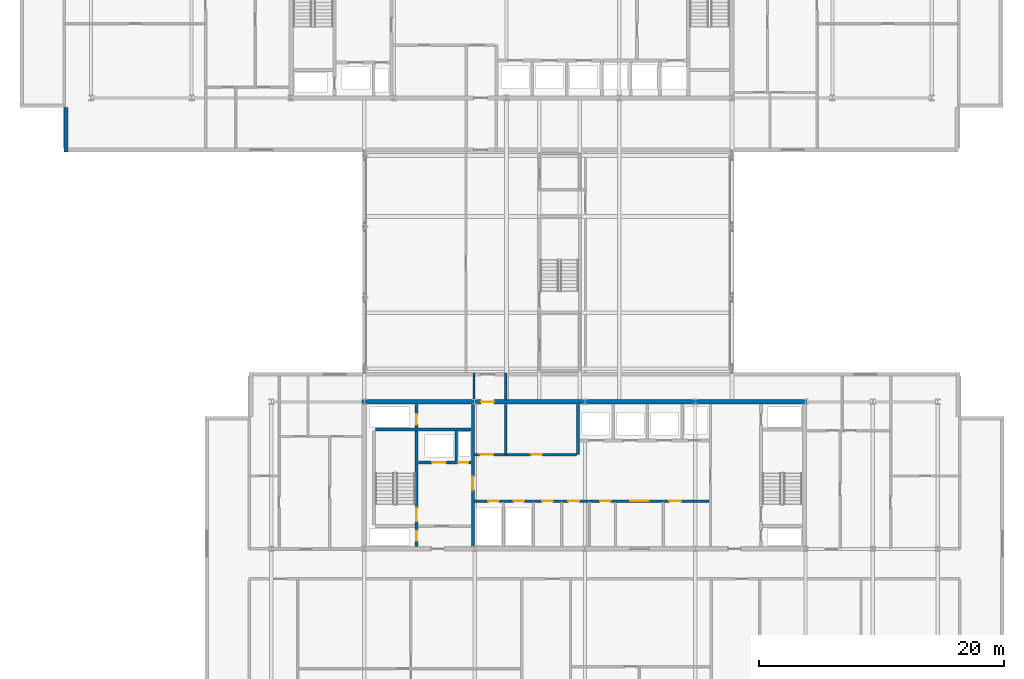
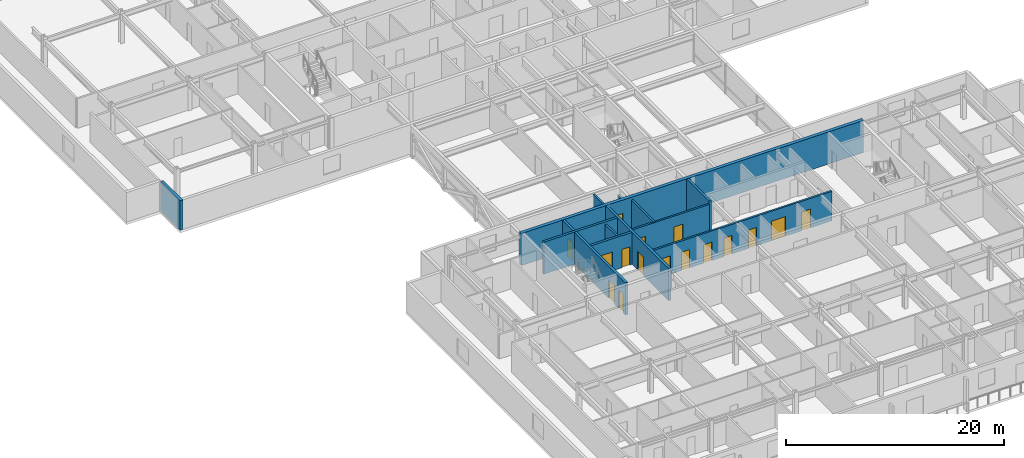
# One storey, part 20 of 36: 16 doors, 13 walls, 16 openings.
"""IFC4 building model written with IfcOpenShell, lengths in metres."""

import ifcopenshell
import ifcopenshell.guid

model = None  # the IFC model being written
_history = None  # IfcOwnerHistory: only IFC2X3 demands one
_inside = {}  # id of a spatial element -> (the spatial element, [elements in it])
_under = {}  # id of a project, library or spatial element -> (it, [spatial elements below it])
_declared = {}  # id of a project -> (the project, [libraries it declares])
_typed = {}  # id of a type object -> (the type object, [elements of that type])
_made_of = {}  # id of a material, layer set ... -> (it, [elements and type objects made of it])


def new_model(schema):
    """Start an empty IFC model of exactly this schema.

    Asked for "IFC4X3", IfcOpenShell would pick the latest addendum, in which some entities
    have other attributes; the version numbers below select the first issue.
    IFC2X3 requires an IfcOwnerHistory on every rooted entity: one is made here for all.
    """
    global model, _history
    if schema == "IFC4X3":
        model = ifcopenshell.file(schema_version=(4, 3, 0, 0))
    else:
        model = ifcopenshell.file(schema=schema)
    _inside.clear()
    _under.clear()
    _declared.clear()
    _typed.clear()
    _made_of.clear()
    _history = None
    if model.schema == "IFC2X3":
        org = make("IfcOrganization", Name="unknown")
        user = make(
            "IfcPersonAndOrganization",
            ThePerson=make("IfcPerson", FamilyName="unknown"),
            TheOrganization=org,
        )
        app = make(
            "IfcApplication",
            ApplicationDeveloper=org,
            Version="unknown",
            ApplicationFullName="unknown",
            ApplicationIdentifier="unknown",
        )
        _history = make(
            "IfcOwnerHistory",
            OwningUser=user,
            OwningApplication=app,
            ChangeAction="ADDED",
            CreationDate=0,
        )
    return model


def make(cls, **values):
    """One entity of the class cls with the attributes given. An attribute that is None is left unset."""
    return model.create_entity(
        cls, **{name: value for name, value in values.items() if value is not None}
    )


def rooted(cls, **values):
    """An entity with a GlobalId (a new one), such as an element, a storey or a relation."""
    return make(cls, GlobalId=ifcopenshell.guid.new(), OwnerHistory=_history, **values)


def si_unit(unit_type, name, prefix=None):
    """IfcSIUnit, for example si_unit("LENGTHUNIT", "METRE", prefix="MILLI")."""
    return make("IfcSIUnit", UnitType=unit_type, Prefix=prefix, Name=name)


def assignment(units):
    """IfcUnitAssignment: the units of a project."""
    return None if units is None else make("IfcUnitAssignment", Units=units)


def point(xyz):
    """IfcCartesianPoint."""
    return None if xyz is None else make("IfcCartesianPoint", Coordinates=xyz)


def direction(xyz):
    """IfcDirection."""
    return None if xyz is None else make("IfcDirection", DirectionRatios=xyz)


def frame(location, z_axis=None, x_axis=None):
    """IfcAxis2Placement3D, a coordinate frame: its origin and axes. An axis left out is left unset."""
    return make(
        "IfcAxis2Placement3D",
        Location=point(location),
        Axis=direction(z_axis),
        RefDirection=direction(x_axis),
    )


def frame_2d(location, x_axis=None):
    """IfcAxis2Placement2D, a coordinate frame in the plane: its origin and x axis."""
    return make(
        "IfcAxis2Placement2D", Location=point(location), RefDirection=direction(x_axis)
    )


def origin():
    """The frame at (0, 0, 0) with its axes left unset."""
    return frame((0.0, 0.0, 0.0))


def place(relative_to, where):
    """IfcLocalPlacement: puts the frame where relative to a parent placement (None: the world)."""
    return make(
        "IfcLocalPlacement", PlacementRelTo=relative_to, RelativePlacement=where
    )


def context(
    kind, dimensions, precision=None, world=None, true_north=None, identifier=None
):
    """IfcGeometricRepresentationContext, for example the 3D "Model" context."""
    return make(
        "IfcGeometricRepresentationContext",
        ContextIdentifier=identifier,
        ContextType=kind,
        CoordinateSpaceDimension=dimensions,
        Precision=precision,
        WorldCoordinateSystem=world,
        TrueNorth=true_north,
    )


def subcontext(parent, identifier, kind, view, scale=None):
    """IfcGeometricRepresentationSubContext, for example "Body" below "Model"."""
    return make(
        "IfcGeometricRepresentationSubContext",
        ContextIdentifier=identifier,
        ContextType=kind,
        ParentContext=parent,
        TargetScale=scale,
        TargetView=view,
    )


def project(units=None, contexts=None):
    """IfcProject with its units and contexts."""
    return rooted(
        "IfcProject",
        Name="project",
        RepresentationContexts=contexts,
        UnitsInContext=assignment(units),
    )


def spatial(cls, under=None, at=None, **own):
    """A site, building, storey or space (cls), placed at a placement, below another one or the project."""
    s = rooted(cls, ObjectPlacement=at, **own)
    if under is not None:
        _under.setdefault(under.id(), (under, []))[1].append(s)
    return s


def profile(cls, at=None, kind="AREA", **sizes):
    """A parametric profile (cls). Its sizes go by their IFC names, for example OverallWidth=200.0."""
    return make(cls, ProfileType=kind, Position=at, **sizes)


def rectangle(**sizes):
    """IfcRectangleProfileDef."""
    return profile("IfcRectangleProfileDef", **sizes)


def extrude(swept, where, along, depth):
    """IfcExtrudedAreaSolid: the profile swept, set in the frame where, extruded along a direction by depth."""
    return make(
        "IfcExtrudedAreaSolid",
        SweptArea=swept,
        Position=where,
        ExtrudedDirection=direction(along),
        Depth=depth,
    )


def shape(context_of_items, identifier, shape_type, items):
    """IfcShapeRepresentation: the items that make up one representation, for example the "Body"."""
    return make(
        "IfcShapeRepresentation",
        ContextOfItems=context_of_items,
        RepresentationIdentifier=identifier,
        RepresentationType=shape_type,
        Items=items,
    )


def material(Name=None, Category=None):
    """IfcMaterial."""
    return make("IfcMaterial", Name=Name, Category=Category)


def layer(
    of_material, thickness, ventilated=None, Name=None, Category=None, Priority=None
):
    """IfcMaterialLayer: one layer of a wall or slab, of a material (None: an air gap)."""
    return make(
        "IfcMaterialLayer",
        Material=of_material,
        LayerThickness=thickness,
        IsVentilated=ventilated,
        Name=Name,
        Category=Category,
        Priority=Priority,
    )


def layer_set(layers, Name=None):
    """IfcMaterialLayerSet."""
    return make("IfcMaterialLayerSet", MaterialLayers=layers, LayerSetName=Name)


def made_of(thing, what):
    """Note that an element or type object is made of a material, layer set ...; save() writes the relation."""
    if what is not None:
        _made_of.setdefault(what.id(), (what, []))[1].append(thing)
    return thing


def type_object(cls, material=None, **own):
    """A type object (cls), such as IfcWallType, which elements share."""
    return made_of(rooted(cls, **own), material)


def element(
    cls,
    number,
    at=None,
    inside=None,
    cuts=None,
    type_object=None,
    material=None,
    context=None,
    identifier="Body",
    shape_type=None,
    held_by="IfcProductDefinitionShape",
    body=None,
    shapes=None,
    **own,
):
    """One element of the class cls, such as IfcWall. Its Tag is "e" and its number.

    at: its placement. inside: the storey or other place that contains it. cuts: it is an
    opening in that element (IfcRelVoidsElement). A single representation is given by context,
    identifier, shape_type and body (its items); several are given by shapes. held_by: the class
    of the entity that holds the representations. save() writes the other relations.
    """
    e = rooted(cls, Tag="e%d" % number, ObjectPlacement=at, **own)
    if body is not None:
        shapes = [shape(context, identifier, shape_type, body)]
    if shapes is not None:
        e.Representation = make(held_by, Representations=shapes)
    if inside is not None:
        _inside.setdefault(inside.id(), (inside, []))[1].append(e)
    if cuts is not None:
        rooted(
            "IfcRelVoidsElement", RelatingBuildingElement=cuts, RelatedOpeningElement=e
        )
    if type_object is not None:
        _typed.setdefault(type_object.id(), (type_object, []))[1].append(e)
    return made_of(e, material)


def fill(opening, filler):
    """IfcRelFillsElement: the door or window that sits in an opening."""
    return rooted(
        "IfcRelFillsElement",
        RelatingOpeningElement=opening,
        RelatedBuildingElement=filler,
    )


def aggregate(whole, parts):
    """IfcRelAggregates: a whole, such as a stair, and the parts it consists of."""
    return rooted("IfcRelAggregates", RelatingObject=whole, RelatedObjects=parts)


def save(model, path):
    """Write the relations noted so far, then the file.

    IfcRelAggregates (storeys below a building ...), IfcRelContainedInSpatialStructure (elements
    in a storey), IfcRelDefinesByType, IfcRelAssociatesMaterial and IfcRelDeclares: one each for
    every whole, place, type object, material and project.
    """
    for whole, parts in _under.values():
        aggregate(whole, parts)
    for where, things in _inside.values():
        rooted(
            "IfcRelContainedInSpatialStructure",
            RelatedElements=things,
            RelatingStructure=where,
        )
    for kind, things in _typed.values():
        rooted("IfcRelDefinesByType", RelatedObjects=things, RelatingType=kind)
    for what, things in _made_of.values():
        rooted("IfcRelAssociatesMaterial", RelatedObjects=things, RelatingMaterial=what)
    for by, libraries in _declared.values():
        rooted("IfcRelDeclares", RelatingContext=by, RelatedDefinitions=libraries)
    model.write(path)


model = new_model("IFC4")

# Units and contexts
model_context = context("Model", 3, precision=1e-05, world=origin(), true_north=direction((0.0, 1.0)))
body_context = subcontext(model_context, "Body", "Model", "MODEL_VIEW")
ifc_project = project(units=[si_unit("LENGTHUNIT", "METRE"), si_unit("AREAUNIT", "SQUARE_METRE"), si_unit("VOLUMEUNIT", "CUBIC_METRE"), si_unit("PLANEANGLEUNIT", "RADIAN"), si_unit("MASSUNIT", "GRAM", prefix="KILO")], contexts=[model_context])

# Site, building, storey
site_placement = place(None, origin())
site = spatial("IfcSite", under=ifc_project, at=site_placement, CompositionType="ELEMENT")
building_placement = place(site_placement, origin())
building = spatial("IfcBuilding", under=site, at=building_placement, Name="Korimba Cascade Residences", CompositionType="ELEMENT")
storey_placement = place(building_placement, frame((0.0, 0.0, 146.5)))
storey = spatial("IfcBuildingStorey", under=building, at=storey_placement, Name="L42", CompositionType="ELEMENT", Elevation=146.5)

# Wall
ifc_material_1 = material(Name="Precast concrete C40/50", Category="concrete")
ifc_layer_1 = layer(ifc_material_1, 0.300048828125)
ifc_layer_set_1 = layer_set([ifc_layer_1], Name="Precast concrete C40/50")
wall_type_1 = type_object("IfcWallType", Name="EW-STONE-300", PredefinedType="STANDARD", material=ifc_layer_set_1)
wall_1_placement = place(storey_placement, frame((57.75, 54.39990234375, 0.0), z_axis=(0.0, 0.0, 1.0), x_axis=(0.0, -1.0, 0.0)))
element("IfcWall", 1, at=wall_1_placement, inside=storey, type_object=wall_type_1, Name="L42 T1 Perimeter Stone Wall E11", PredefinedType="STANDARD", context=body_context, shape_type="SweptSolid", body=[
    extrude(rectangle(XDim=3.599853515625, YDim=0.300048828125, at=frame_2d((1.7998046875, 0.0))), origin(), (0.0, 0.0, 1.0), 3.31005859375),
])

# Wall, opening, door
ifc_material_2 = material(Name="Concrete C65/80", Category="concrete")
ifc_layer_2 = layer(ifc_material_2, 0.35009765625)
ifc_layer_set_2 = layer_set([ifc_layer_2], Name="Concrete C65/80")
wall_type_2 = type_object("IfcWallType", Name="WAL-CORE-350", PredefinedType="SHEAR", material=ifc_layer_set_2)
wall_2_placement = place(storey_placement, frame((81.925048828125, 30.39990234375, 0.0), z_axis=(0.0, 0.0, 1.0), x_axis=(1.0, 0.0, 0.0)))
wall_2 = element("IfcWall", 2, at=wall_2_placement, inside=storey, type_object=wall_type_2, Name="L42 Core Shear Wall CW-L42-T2-N", PredefinedType="SHEAR", context=body_context, shape_type="SweptSolid", body=[
    extrude(rectangle(XDim=36.264892578125, YDim=0.35009765625, at=frame_2d((18.13232421875, 0.0))), origin(), (0.0, 0.0, 1.0), 3.60009765625),
])
opening_1_placement = place(wall_2_placement, frame((9.675048828125, 0.0, 0.0)))
opening_1 = element("IfcOpeningElement", 3, at=opening_1_placement, cuts=wall_2, Name="Opening D-FD1", PredefinedType="OPENING", context=body_context, shape_type="SweptSolid", body=[
    extrude(rectangle(XDim=1.10009765625, YDim=2.10009765625, at=frame_2d((0.550048828125, 1.050048828125))), frame((0.0, 0.18505859375, 0.0), z_axis=(0.0, -1.0, 0.0), x_axis=(1.0, 0.0, 0.0)), (0.0, 0.0, 1.0), 0.3701171875),
])
ifc_material_3 = material(Name="Fire-Rated Steel Core Door", Category="steel")
door_type_1 = type_object("IfcDoorType", Name="DR-FD120-1100", OperationType="NOTDEFINED", PredefinedType="DOOR", material=ifc_material_3)
door_1_placement = place(opening_1_placement, origin())
door_1 = element("IfcDoor", 4, at=door_1_placement, inside=storey, type_object=door_type_1, Name="L42 Skybridge to T2 Core Fire Door", OperationType="SINGLE_SWING_LEFT", OverallHeight=2.10009765625, OverallWidth=1.10009765625, PredefinedType="DOOR", context=body_context, shape_type="SweptSolid", body=[
    extrude(rectangle(XDim=1.10009765625, YDim=2.10009765625, at=frame_2d((0.550048828125, 1.050048828125))), frame((0.0, 0.02490234375, 0.0), z_axis=(0.0, -1.0, 0.0), x_axis=(1.0, 0.0, 0.0)), (0.0, 0.0, 1.0), 0.050048828125),
])
fill(opening_1, door_1)

# Walls
ifc_material_4 = material(Name="Concrete C40/50", Category="concrete")
ifc_layer_3 = layer(ifc_material_4, 0.199951171875)
ifc_layer_set_3 = layer_set([ifc_layer_3], Name="Concrete C40/50")
wall_type_3 = type_object("IfcWallType", Name="WAL-PART-200", PredefinedType="PARTITIONING", material=ifc_layer_set_3)
wall_3_placement = place(storey_placement, frame((89.60009765625, 25.580078125, 0.0), z_axis=(0.0, 0.0, 1.0), x_axis=(0.0, 1.0, 0.0)))
element("IfcWall", 5, at=wall_3_placement, inside=storey, type_object=wall_type_3, Name="L42 Partition Wall CW-L42-T2-FFLDIV", PredefinedType="PARTITIONING", context=body_context, shape_type="SweptSolid", body=[
    extrude(rectangle(XDim=2.419921875, YDim=0.199951171875, at=frame_2d((1.2099609375, 0.0))), origin(), (0.0, 0.0, 1.0), 3.31005859375),
])
wall_4_placement = place(storey_placement, frame((93.64990234375, 26.10009765625, 0.0), z_axis=(0.0, 0.0, 1.0), x_axis=(0.0, 1.0, 0.0)))
element("IfcWall", 6, at=wall_4_placement, inside=storey, type_object=wall_type_3, Name="L42 Partition Wall CW-L42-T2-BRGPD", PredefinedType="PARTITIONING", context=body_context, shape_type="SweptSolid", body=[
    extrude(rectangle(XDim=4.099853515625, YDim=0.199951171875, at=frame_2d((2.0498046875, 0.0))), origin(), (0.0, 0.0, 1.0), 3.31005859375),
])

# Wall, openings, doors
wall_5_placement = place(storey_placement, frame((91.080078125, 26.10009765625, 0.0), z_axis=(0.0, 0.0, 1.0), x_axis=(1.0, 0.0, 0.0)))
wall_5 = element("IfcWall", 7, at=wall_5_placement, inside=storey, type_object=wall_type_3, Name="L42 Partition Wall CW-L42-T2-B1RS", PredefinedType="PARTITIONING", context=body_context, shape_type="SweptSolid", body=[
    extrude(rectangle(XDim=8.33984375, YDim=0.199951171875, at=frame_2d((4.169921875, 0.0))), origin(), (0.0, 0.0, 1.0), 3.31005859375),
])
opening_2_placement = place(wall_5_placement, frame((0.449951171875, 0.0, 0.0)))
opening_2 = element("IfcOpeningElement", 8, at=opening_2_placement, cuts=wall_5, Name="Opening D-FD1", PredefinedType="OPENING", context=body_context, shape_type="SweptSolid", body=[
    extrude(rectangle(XDim=1.10009765625, YDim=2.10009765625, at=frame_2d((0.550048828125, 1.050048828125))), frame((0.0, 0.10986328125, 0.0), z_axis=(0.0, -1.0, 0.0), x_axis=(1.0, 0.0, 0.0)), (0.0, 0.0, 1.0), 0.219970703125),
])
opening_3_placement = place(wall_5_placement, frame((4.60009765625, 0.0, 0.0)))
opening_3 = element("IfcOpeningElement", 9, at=opening_3_placement, cuts=wall_5, Name="Opening D-ST1", PredefinedType="OPENING", context=body_context, shape_type="SweptSolid", body=[
    extrude(rectangle(XDim=0.919921875, YDim=2.080078125, at=frame_2d((0.4599609375, 1.0400390625))), frame((0.0, 0.10986328125, 0.0), z_axis=(0.0, -1.0, 0.0), x_axis=(1.0, 0.0, 0.0)), (0.0, 0.0, 1.0), 0.219970703125),
])
door_2_placement = place(opening_2_placement, origin())
door_2 = element("IfcDoor", 10, at=door_2_placement, inside=storey, type_object=door_type_1, Name="L42 Skybridge Vestibule to T2 Lift Lobby Door", OperationType="SINGLE_SWING_RIGHT", OverallHeight=2.10009765625, OverallWidth=1.10009765625, PredefinedType="DOOR", context=body_context, shape_type="SweptSolid", body=[
    extrude(rectangle(XDim=1.10009765625, YDim=2.10009765625, at=frame_2d((0.550048828125, 1.050048828125))), frame((0.0, 0.02490234375, 0.0), z_axis=(0.0, -1.0, 0.0), x_axis=(1.0, 0.0, 0.0)), (0.0, 0.0, 1.0), 0.050048828125),
])
fill(opening_2, door_2)
ifc_material_5 = material(Name="Fire-Rated Core Store Door", Category="wood")
door_type_2 = type_object("IfcDoorType", Name="DR-FD60-920", OperationType="NOTDEFINED", PredefinedType="DOOR", material=ifc_material_5)
door_3_placement = place(opening_3_placement, origin())
door_3 = element("IfcDoor", 11, at=door_3_placement, inside=storey, type_object=door_type_2, Name="L42 T2 Resident Storage Door", OperationType="SINGLE_SWING_LEFT", OverallHeight=2.080078125, OverallWidth=0.919921875, PredefinedType="DOOR", context=body_context, shape_type="SweptSolid", body=[
    extrude(rectangle(XDim=0.919921875, YDim=2.080078125, at=frame_2d((0.4599609375, 1.0400390625))), frame((0.0, 0.02490234375, 0.0), z_axis=(0.0, -1.0, 0.0), x_axis=(1.0, 0.0, 0.0)), (0.0, 0.0, 1.0), 0.050048828125),
])
fill(opening_3, door_3)

wall_6_placement = place(storey_placement, frame((91.080078125, 22.300048828125, 0.0), z_axis=(0.0, 0.0, 1.0), x_axis=(1.0, 0.0, 0.0)))
wall_6 = element("IfcWall", 12, at=wall_6_placement, inside=storey, type_object=wall_type_3, Name="L42 Partition Wall CW-L42-T2-SRVROW", PredefinedType="PARTITIONING", context=body_context, shape_type="SweptSolid", body=[
    extrude(rectangle(XDim=19.139892578125, YDim=0.199951171875, at=frame_2d((9.56982421875, 0.0))), origin(), (0.0, 0.0, 1.0), 3.31005859375),
])
opening_4_placement = place(wall_6_placement, frame((1.14990234375, 0.0, 0.0)))
opening_4 = element("IfcOpeningElement", 13, at=opening_4_placement, cuts=wall_6, Name="Opening D-RS1", PredefinedType="OPENING", context=body_context, shape_type="SweptSolid", body=[
    extrude(rectangle(XDim=0.85009765625, YDim=2.050048828125, at=frame_2d((0.425048828125, 1.02490234375))), frame((0.0, 0.10986328125, 0.0), z_axis=(0.0, -1.0, 0.0), x_axis=(1.0, 0.0, 0.0)), (0.0, 0.0, 1.0), 0.219970703125),
])
opening_5_placement = place(wall_6_placement, frame((3.199951171875, 0.0, 0.0)))
opening_5 = element("IfcOpeningElement", 14, at=opening_5_placement, cuts=wall_6, Name="Opening D-RS1", PredefinedType="OPENING", context=body_context, shape_type="SweptSolid", body=[
    extrude(rectangle(XDim=0.85009765625, YDim=2.050048828125, at=frame_2d((0.425048828125, 1.02490234375))), frame((0.0, 0.10986328125, 0.0), z_axis=(0.0, -1.0, 0.0), x_axis=(1.0, 0.0, 0.0)), (0.0, 0.0, 1.0), 0.219970703125),
])
opening_6_placement = place(wall_6_placement, frame((12.719970703125, 0.0, 0.0)))
opening_6 = element("IfcOpeningElement", 15, at=opening_6_placement, cuts=wall_6, Name="Opening D-FD8", PredefinedType="OPENING", context=body_context, shape_type="SweptSolid", body=[
    extrude(rectangle(XDim=1.5, YDim=2.199951171875, at=frame_2d((0.75, 1.10009765625))), frame((0.0, 0.10986328125, 0.0), z_axis=(0.0, -1.0, 0.0), x_axis=(1.0, 0.0, 0.0)), (0.0, 0.0, 1.0), 0.219970703125),
])
opening_7_placement = place(wall_6_placement, frame((5.52001953125, 0.0, 0.0)))
opening_7 = element("IfcOpeningElement", 16, at=opening_7_placement, cuts=wall_6, Name="Opening D-IN2", PredefinedType="OPENING", context=body_context, shape_type="SweptSolid", body=[
    extrude(rectangle(XDim=0.8798828125, YDim=2.06005859375, at=frame_2d((0.43994140625, 1.030029296875))), frame((0.0, 0.10986328125, 0.0), z_axis=(0.0, -1.0, 0.0), x_axis=(1.0, 0.0, 0.0)), (0.0, 0.0, 1.0), 0.219970703125),
])
opening_8_placement = place(wall_6_placement, frame((7.669921875, 0.0, 0.0)))
opening_8 = element("IfcOpeningElement", 17, at=opening_8_placement, cuts=wall_6, Name="Opening D-IN2", PredefinedType="OPENING", context=body_context, shape_type="SweptSolid", body=[
    extrude(rectangle(XDim=0.8798828125, YDim=2.06005859375, at=frame_2d((0.43994140625, 1.030029296875))), frame((0.0, 0.10986328125, 0.0), z_axis=(0.0, -1.0, 0.0), x_axis=(1.0, 0.0, 0.0)), (0.0, 0.0, 1.0), 0.219970703125),
])
opening_9_placement = place(wall_6_placement, frame((10.27001953125, 0.0, 0.0)))
opening_9 = element("IfcOpeningElement", 18, at=opening_9_placement, cuts=wall_6, Name="Opening D-RS1", PredefinedType="OPENING", context=body_context, shape_type="SweptSolid", body=[
    extrude(rectangle(XDim=0.85009765625, YDim=2.050048828125, at=frame_2d((0.425048828125, 1.02490234375))), frame((0.0, 0.10986328125, 0.0), z_axis=(0.0, -1.0, 0.0), x_axis=(1.0, 0.0, 0.0)), (0.0, 0.0, 1.0), 0.219970703125),
])
opening_10_placement = place(wall_6_placement, frame((15.919921875, 0.0, 0.0)))
opening_10 = element("IfcOpeningElement", 19, at=opening_10_placement, cuts=wall_6, Name="Opening D-AC1", PredefinedType="OPENING", context=body_context, shape_type="SweptSolid", body=[
    extrude(rectangle(XDim=0.9599609375, YDim=2.10009765625, at=frame_2d((0.47998046875, 1.050048828125))), frame((0.0, 0.10986328125, 0.0), z_axis=(0.0, -1.0, 0.0), x_axis=(1.0, 0.0, 0.0)), (0.0, 0.0, 1.0), 0.219970703125),
])
ifc_material_6 = material(Name="Accessible Acoustic Timber WC Door", Category="wood")
door_type_3 = type_object("IfcDoorType", Name="DR-ACC-950", OperationType="NOTDEFINED", PredefinedType="DOOR", material=ifc_material_6)
door_4_placement = place(opening_10_placement, origin())
door_4 = element("IfcDoor", 20, at=door_4_placement, inside=storey, type_object=door_type_3, Name="L42 T2 Accessible Staff WC Door", OperationType="SINGLE_SWING_RIGHT", OverallHeight=2.10009765625, OverallWidth=0.9599609375, PredefinedType="DOOR", context=body_context, shape_type="SweptSolid", body=[
    extrude(rectangle(XDim=0.9599609375, YDim=2.10009765625, at=frame_2d((0.47998046875, 1.050048828125))), frame((0.0, 0.02490234375, 0.0), z_axis=(0.0, -1.0, 0.0), x_axis=(1.0, 0.0, 0.0)), (0.0, 0.0, 1.0), 0.050048828125),
])
fill(opening_10, door_4)
ifc_material_7 = material(Name="Fire-Rated Steel Riser Access Door", Category="steel")
door_type_4 = type_object("IfcDoorType", Name="DR-FD60-850", OperationType="NOTDEFINED", PredefinedType="DOOR", material=ifc_material_7)
door_5_placement = place(opening_4_placement, origin())
door_5 = element("IfcDoor", 21, at=door_5_placement, inside=storey, type_object=door_type_4, Name="L42 T2 Electrical Riser Door", OperationType="SINGLE_SWING_LEFT", OverallHeight=2.050048828125, OverallWidth=0.85009765625, PredefinedType="DOOR", context=body_context, shape_type="SweptSolid", body=[
    extrude(rectangle(XDim=0.85009765625, YDim=2.050048828125, at=frame_2d((0.425048828125, 1.02490234375))), frame((0.0, 0.02490234375, 0.0), z_axis=(0.0, -1.0, 0.0), x_axis=(1.0, 0.0, 0.0)), (0.0, 0.0, 1.0), 0.050048828125),
])
fill(opening_4, door_5)
door_6_placement = place(opening_5_placement, origin())
door_6 = element("IfcDoor", 22, at=door_6_placement, inside=storey, type_object=door_type_4, Name="L42 T2 Plumbing Riser Door", OperationType="SINGLE_SWING_RIGHT", OverallHeight=2.050048828125, OverallWidth=0.85009765625, PredefinedType="DOOR", context=body_context, shape_type="SweptSolid", body=[
    extrude(rectangle(XDim=0.85009765625, YDim=2.050048828125, at=frame_2d((0.425048828125, 1.02490234375))), frame((0.0, 0.02490234375, 0.0), z_axis=(0.0, -1.0, 0.0), x_axis=(1.0, 0.0, 0.0)), (0.0, 0.0, 1.0), 0.050048828125),
])
fill(opening_5, door_6)
door_7_placement = place(opening_9_placement, origin())
door_7 = element("IfcDoor", 23, at=door_7_placement, inside=storey, type_object=door_type_4, Name="L42 T2 IT Room Door", OperationType="SINGLE_SWING_LEFT", OverallHeight=2.050048828125, OverallWidth=0.85009765625, PredefinedType="DOOR", context=body_context, shape_type="SweptSolid", body=[
    extrude(rectangle(XDim=0.85009765625, YDim=2.050048828125, at=frame_2d((0.425048828125, 1.02490234375))), frame((0.0, 0.02490234375, 0.0), z_axis=(0.0, -1.0, 0.0), x_axis=(1.0, 0.0, 0.0)), (0.0, 0.0, 1.0), 0.050048828125),
])
fill(opening_9, door_7)
ifc_material_8 = material(Name="Fire-Rated Glazed Lift Lobby Double Door", Category="glass")
door_type_5 = type_object("IfcDoorType", Name="DR-FD90-1500", OperationType="NOTDEFINED", PredefinedType="DOOR", material=ifc_material_8)
door_8_placement = place(opening_6_placement, origin())
door_8 = element("IfcDoor", 24, at=door_8_placement, inside=storey, type_object=door_type_5, Name="L42 T2 Lift Lobby Foyer Door", OperationType="DOUBLE_DOOR_SINGLE_SWING", OverallHeight=2.199951171875, OverallWidth=1.5, PredefinedType="DOOR", context=body_context, shape_type="SweptSolid", body=[
    extrude(rectangle(XDim=1.5, YDim=2.199951171875, at=frame_2d((0.75, 1.10009765625))), frame((0.0, 0.02490234375, 0.0), z_axis=(0.0, -1.0, 0.0), x_axis=(1.0, 0.0, 0.0)), (0.0, 0.0, 1.0), 0.050048828125),
])
fill(opening_6, door_8)
ifc_material_9 = material(Name="Acoustic Timber Bedroom Door", Category="wood")
door_type_6 = type_object("IfcDoorType", Name="DR-INT-880", OperationType="NOTDEFINED", PredefinedType="DOOR", material=ifc_material_9)
door_9_placement = place(opening_7_placement, origin())
door_9 = element("IfcDoor", 25, at=door_9_placement, inside=storey, type_object=door_type_6, Name="L42 T2 Cleaners Door", OperationType="SINGLE_SWING_LEFT", OverallHeight=2.06005859375, OverallWidth=0.8798828125, PredefinedType="DOOR", context=body_context, shape_type="SweptSolid", body=[
    extrude(rectangle(XDim=0.8798828125, YDim=2.06005859375, at=frame_2d((0.43994140625, 1.030029296875))), frame((0.0, 0.02490234375, 0.0), z_axis=(0.0, -1.0, 0.0), x_axis=(1.0, 0.0, 0.0)), (0.0, 0.0, 1.0), 0.050048828125),
])
fill(opening_7, door_9)
door_10_placement = place(opening_8_placement, origin())
door_10 = element("IfcDoor", 26, at=door_10_placement, inside=storey, type_object=door_type_6, Name="L42 T2 Pantry Door", OperationType="SINGLE_SWING_RIGHT", OverallHeight=2.06005859375, OverallWidth=0.8798828125, PredefinedType="DOOR", context=body_context, shape_type="SweptSolid", body=[
    extrude(rectangle(XDim=0.8798828125, YDim=2.06005859375, at=frame_2d((0.43994140625, 1.030029296875))), frame((0.0, 0.02490234375, 0.0), z_axis=(0.0, -1.0, 0.0), x_axis=(1.0, 0.0, 0.0)), (0.0, 0.0, 1.0), 0.050048828125),
])
fill(opening_8, door_10)

# Walls
wall_7_placement = place(storey_placement, frame((91.050048828125, 30.550048828125, 0.0), z_axis=(0.0, 0.0, 1.0), x_axis=(0.0, 1.0, 0.0)))
element("IfcWall", 27, at=wall_7_placement, inside=storey, type_object=wall_type_3, Name="L42 Partition Wall WAL-L42-T2-NBRGW", PredefinedType="PARTITIONING", context=body_context, shape_type="SweptSolid", body=[
    extrude(rectangle(XDim=2.199951171875, YDim=0.199951171875, at=frame_2d((1.10009765625, 0.0))), origin(), (0.0, 0.0, 1.0), 3.31005859375),
])
wall_8_placement = place(storey_placement, frame((93.64990234375, 30.550048828125, 0.0), z_axis=(0.0, 0.0, 1.0), x_axis=(0.0, 1.0, 0.0)))
element("IfcWall", 28, at=wall_8_placement, inside=storey, type_object=wall_type_3, Name="L42 Partition Wall WAL-L42-T2-NBRGE", PredefinedType="PARTITIONING", context=body_context, shape_type="SweptSolid", body=[
    extrude(rectangle(XDim=2.199951171875, YDim=0.199951171875, at=frame_2d((1.10009765625, 0.0))), origin(), (0.0, 0.0, 1.0), 2.38330078125),
])

# Wall, openings, doors
ifc_material_10 = material(Name="Concrete C50/60", Category="concrete")
ifc_layer_4 = layer(ifc_material_10, 0.25)
ifc_layer_set_4 = layer_set([ifc_layer_4], Name="Concrete C50/60")
wall_type_4 = type_object("IfcWallType", Name="WAL-SHAFT-250", PredefinedType="SHEAR", material=ifc_layer_set_4)
wall_9_placement = place(storey_placement, frame((86.364990234375, 18.60009765625, 0.0), z_axis=(0.0, 0.0, 1.0), x_axis=(0.0, 1.0, 0.0)))
wall_9 = element("IfcWall", 29, at=wall_9_placement, inside=storey, type_object=wall_type_4, Name="L42 Core Shear Wall CW-L42-T2-STE1E", PredefinedType="SHEAR", context=body_context, shape_type="SweptSolid", body=[
    extrude(rectangle(XDim=11.599853515625, YDim=0.25, at=frame_2d((5.7998046875, 0.0))), origin(), (0.0, 0.0, 1.0), 3.60009765625),
])
opening_11_placement = place(wall_9_placement, frame((0.449951171875, 0.0, 0.0)))
opening_11 = element("IfcOpeningElement", 30, at=opening_11_placement, cuts=wall_9, Name="Opening D-RS1", PredefinedType="OPENING", context=body_context, shape_type="SweptSolid", body=[
    extrude(rectangle(XDim=0.85009765625, YDim=2.050048828125, at=frame_2d((0.425048828125, 1.02490234375))), frame((0.0, 0.135009765625, 0.0), z_axis=(0.0, -1.0, 0.0), x_axis=(1.0, 0.0, 0.0)), (0.0, 0.0, 1.0), 0.27001953125),
])
opening_12_placement = place(wall_9_placement, frame((2.050048828125, 0.0, 0.0)))
opening_12 = element("IfcOpeningElement", 31, at=opening_12_placement, cuts=wall_9, Name="Opening D-FD1", PredefinedType="OPENING", context=body_context, shape_type="SweptSolid", body=[
    extrude(rectangle(XDim=1.10009765625, YDim=2.10009765625, at=frame_2d((0.550048828125, 1.050048828125))), frame((0.0, 0.135009765625, 0.0), z_axis=(0.0, -1.0, 0.0), x_axis=(1.0, 0.0, 0.0)), (0.0, 0.0, 1.0), 0.27001953125),
])
opening_13_placement = place(wall_9_placement, frame((9.949951171875, 0.0, 0.0)))
opening_13 = element("IfcOpeningElement", 32, at=opening_13_placement, cuts=wall_9, Name="Opening D-RS1", PredefinedType="OPENING", context=body_context, shape_type="SweptSolid", body=[
    extrude(rectangle(XDim=0.85009765625, YDim=2.050048828125, at=frame_2d((0.425048828125, 1.02490234375))), frame((0.0, 0.135009765625, 0.0), z_axis=(0.0, -1.0, 0.0), x_axis=(1.0, 0.0, 0.0)), (0.0, 0.0, 1.0), 0.27001953125),
])
door_11_placement = place(opening_12_placement, origin())
door_11 = element("IfcDoor", 33, at=door_11_placement, inside=storey, type_object=door_type_1, Name="L42 Fire Stair ST-E1 Door", OperationType="SINGLE_SWING_LEFT", OverallHeight=2.10009765625, OverallWidth=1.10009765625, PredefinedType="DOOR", context=body_context, shape_type="SweptSolid", body=[
    extrude(rectangle(XDim=1.10009765625, YDim=2.10009765625, at=frame_2d((0.550048828125, 1.050048828125))), frame((0.0, 0.02490234375, 0.0), z_axis=(0.0, -1.0, 0.0), x_axis=(1.0, 0.0, 0.0)), (0.0, 0.0, 1.0), 0.050048828125),
])
fill(opening_12, door_11)
door_12_placement = place(opening_11_placement, origin())
door_12 = element("IfcDoor", 34, at=door_12_placement, inside=storey, type_object=door_type_4, Name="L42 T2 Hydrant Riser Door", OperationType="SINGLE_SWING_RIGHT", OverallHeight=2.050048828125, OverallWidth=0.85009765625, PredefinedType="DOOR", context=body_context, shape_type="SweptSolid", body=[
    extrude(rectangle(XDim=0.85009765625, YDim=2.050048828125, at=frame_2d((0.425048828125, 1.02490234375))), frame((0.0, 0.02490234375, 0.0), z_axis=(0.0, -1.0, 0.0), x_axis=(1.0, 0.0, 0.0)), (0.0, 0.0, 1.0), 0.050048828125),
])
fill(opening_11, door_12)
door_13_placement = place(opening_13_placement, origin())
door_13 = element("IfcDoor", 35, at=door_13_placement, inside=storey, type_object=door_type_4, Name="L42 T2 Smoke Shaft Door", OperationType="SINGLE_SWING_RIGHT", OverallHeight=2.050048828125, OverallWidth=0.85009765625, PredefinedType="DOOR", context=body_context, shape_type="SweptSolid", body=[
    extrude(rectangle(XDim=0.85009765625, YDim=2.050048828125, at=frame_2d((0.425048828125, 1.02490234375))), frame((0.0, 0.02490234375, 0.0), z_axis=(0.0, -1.0, 0.0), x_axis=(1.0, 0.0, 0.0)), (0.0, 0.0, 1.0), 0.050048828125),
])
fill(opening_13, door_13)

# Wall
wall_10_placement = place(storey_placement, frame((83.0, 28.125, 0.0), z_axis=(0.0, 0.0, 1.0), x_axis=(1.0, 0.0, 0.0)))
element("IfcWall", 36, at=wall_10_placement, inside=storey, type_object=wall_type_4, Name="L42 Core Shear Wall CW-L42-T2-STE1N", PredefinedType="SHEAR", context=body_context, shape_type="SweptSolid", body=[
    extrude(rectangle(XDim=7.820068359375, YDim=0.25, at=frame_2d((3.91015625, 0.0))), origin(), (0.0, 0.0, 1.0), 3.60009765625),
])

# Wall, openings, doors
wall_11_placement = place(storey_placement, frame((86.5, 25.449951171875, 0.0), z_axis=(0.0, 0.0, 1.0), x_axis=(1.0, 0.0, 0.0)))
wall_11 = element("IfcWall", 37, at=wall_11_placement, inside=storey, type_object=wall_type_4, Name="L42 Core Shear Wall CW-L42-T2-FFLN", PredefinedType="SHEAR", context=body_context, shape_type="SweptSolid", body=[
    extrude(rectangle(XDim=4.320068359375, YDim=0.25, at=frame_2d((2.16015625, 0.0))), origin(), (0.0, 0.0, 1.0), 3.60009765625),
])
opening_14_placement = place(wall_11_placement, frame((1.139892578125, 0.0, 0.0)))
opening_14 = element("IfcOpeningElement", 38, at=opening_14_placement, cuts=wall_11, Name="Opening LD-01", PredefinedType="OPENING", context=body_context, shape_type="SweptSolid", body=[
    extrude(rectangle(XDim=1.1201171875, YDim=2.1201171875, at=frame_2d((0.56005859375, 1.06005859375))), frame((0.0, 0.135009765625, 0.0), z_axis=(0.0, -1.0, 0.0), x_axis=(1.0, 0.0, 0.0)), (0.0, 0.0, 1.0), 0.27001953125),
])
opening_15_placement = place(wall_11_placement, frame((3.25, 0.0, 0.0)))
opening_15 = element("IfcOpeningElement", 39, at=opening_15_placement, cuts=wall_11, Name="Opening D-RS1", PredefinedType="OPENING", context=body_context, shape_type="SweptSolid", body=[
    extrude(rectangle(XDim=0.85009765625, YDim=2.050048828125, at=frame_2d((0.425048828125, 1.02490234375))), frame((0.0, 0.135009765625, 0.0), z_axis=(0.0, -1.0, 0.0), x_axis=(1.0, 0.0, 0.0)), (0.0, 0.0, 1.0), 0.27001953125),
])
door_14_placement = place(opening_15_placement, origin())
door_14 = element("IfcDoor", 40, at=door_14_placement, inside=storey, type_object=door_type_4, Name="L42 T2 Pressurisation Riser Door", OperationType="SINGLE_SWING_LEFT", OverallHeight=2.050048828125, OverallWidth=0.85009765625, PredefinedType="DOOR", context=body_context, shape_type="SweptSolid", body=[
    extrude(rectangle(XDim=0.85009765625, YDim=2.050048828125, at=frame_2d((0.425048828125, 1.02490234375))), frame((0.0, 0.02490234375, 0.0), z_axis=(0.0, -1.0, 0.0), x_axis=(1.0, 0.0, 0.0)), (0.0, 0.0, 1.0), 0.050048828125),
])
fill(opening_15, door_14)
ifc_material_11 = material(Name="Stainless Steel Lift Landing Sliding Door", Category="steel")
door_type_7 = type_object("IfcDoorType", Name="DR-LIFT-1100", OperationType="NOTDEFINED", PredefinedType="DOOR", material=ifc_material_11)
door_15_placement = place(opening_14_placement, origin())
door_15 = element("IfcDoor", 41, at=door_15_placement, inside=storey, type_object=door_type_7, Name="L42 Firefighting Lift Landing Door FFL-E1", OperationType="SLIDING_TO_RIGHT", OverallHeight=2.1201171875, OverallWidth=1.1201171875, PredefinedType="DOOR", context=body_context, shape_type="SweptSolid", body=[
    extrude(rectangle(XDim=1.1201171875, YDim=2.1201171875, at=frame_2d((0.56005859375, 1.06005859375))), frame((0.0, 0.02490234375, 0.0), z_axis=(0.0, -1.0, 0.0), x_axis=(1.0, 0.0, 0.0)), (0.0, 0.0, 1.0), 0.050048828125),
])
fill(opening_14, door_15)

# Wall, opening, door
wall_12_placement = place(storey_placement, frame((90.949951171875, 18.60009765625, 0.0), z_axis=(0.0, 0.0, 1.0), x_axis=(0.0, 1.0, 0.0)))
wall_12 = element("IfcWall", 42, at=wall_12_placement, inside=storey, type_object=wall_type_4, Name="L42 Core Shear Wall CW-L42-T2-FFLE", PredefinedType="SHEAR", context=body_context, shape_type="SweptSolid", body=[
    extrude(rectangle(XDim=11.599853515625, YDim=0.25, at=frame_2d((5.7998046875, 0.0))), origin(), (0.0, 0.0, 1.0), 3.60009765625),
])
opening_16_placement = place(wall_12_placement, frame((4.60009765625, 0.0, 0.0)))
opening_16 = element("IfcOpeningElement", 43, at=opening_16_placement, cuts=wall_12, Name="Opening D-FD1", PredefinedType="OPENING", context=body_context, shape_type="SweptSolid", body=[
    extrude(rectangle(XDim=1.10009765625, YDim=2.10009765625, at=frame_2d((0.550048828125, 1.050048828125))), frame((0.0, 0.135009765625, 0.0), z_axis=(0.0, -1.0, 0.0), x_axis=(1.0, 0.0, 0.0)), (0.0, 0.0, 1.0), 0.27001953125),
])
door_16_placement = place(opening_16_placement, origin())
door_16 = element("IfcDoor", 44, at=door_16_placement, inside=storey, type_object=door_type_1, Name="L42 T2 Firefighting Lobby to Lift Lobby Door", OperationType="SINGLE_SWING_LEFT", OverallHeight=2.10009765625, OverallWidth=1.10009765625, PredefinedType="DOOR", context=body_context, shape_type="SweptSolid", body=[
    extrude(rectangle(XDim=1.10009765625, YDim=2.10009765625, at=frame_2d((0.550048828125, 1.050048828125))), frame((0.0, 0.02490234375, 0.0), z_axis=(0.0, -1.0, 0.0), x_axis=(1.0, 0.0, 0.0)), (0.0, 0.0, 1.0), 0.050048828125),
])
fill(opening_16, door_16)

# Wall
wall_13_placement = place(storey_placement, frame((99.550048828125, 26.10009765625, 0.0), z_axis=(0.0, 0.0, 1.0), x_axis=(0.0, 1.0, 0.0)))
element("IfcWall", 45, at=wall_13_placement, inside=storey, type_object=wall_type_4, Name="L42 Core Shear Wall CW-L42-T2-B12DIV", PredefinedType="SHEAR", context=body_context, shape_type="SweptSolid", body=[
    extrude(rectangle(XDim=4.099853515625, YDim=0.25, at=frame_2d((2.0498046875, 0.0))), origin(), (0.0, 0.0, 1.0), 3.60009765625),
])

save(model, "model.ifc")
